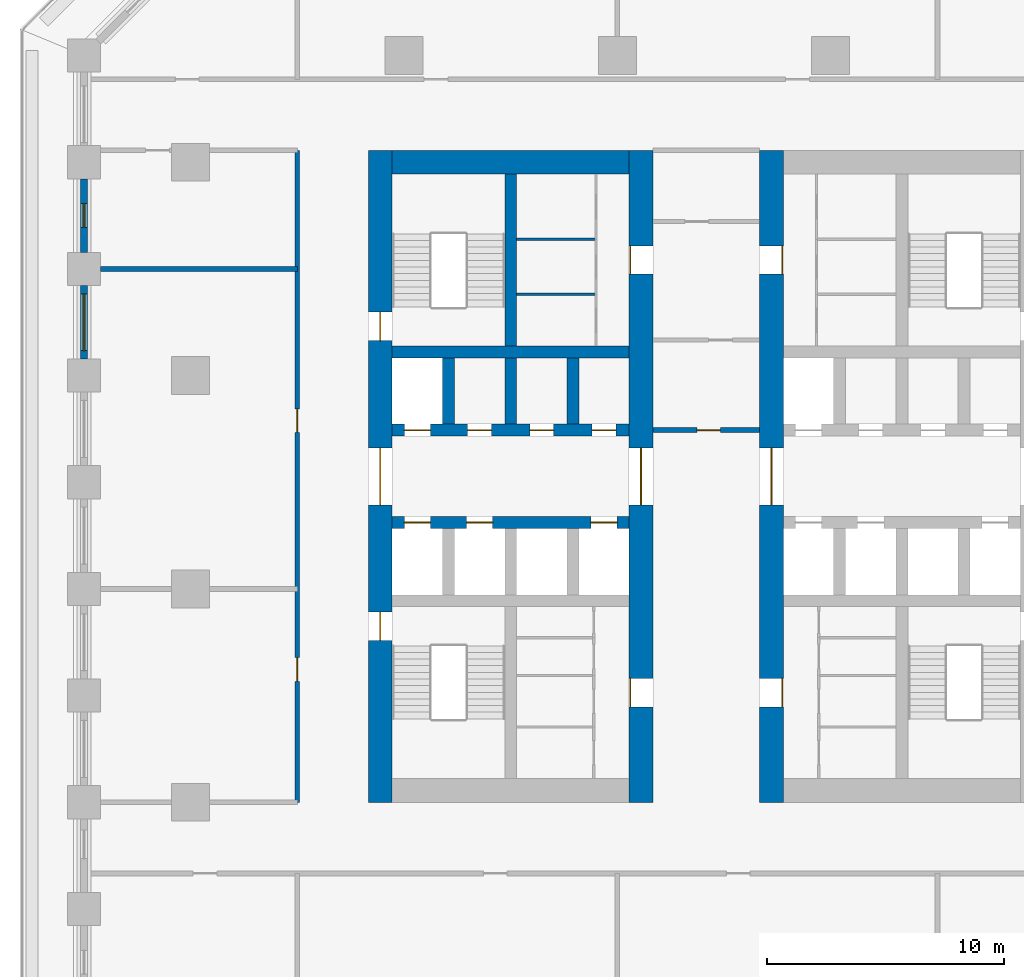
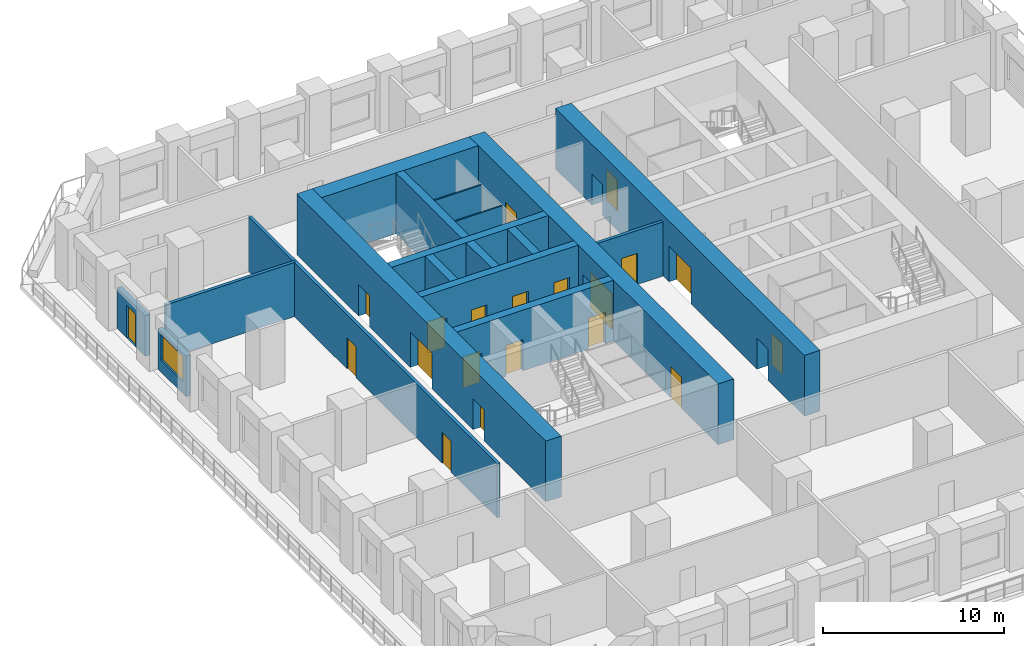
# One storey, part 5 of 11: 20 doors, 18 walls, 1 window, 21 openings.
"""IFC4 building model written with IfcOpenShell, lengths in metres."""

from ifc_helpers import new_model, si_unit, direction, frame, frame_2d, origin, place, context, subcontext, project, spatial, rectangle, extrude, material, layer, layer_set, type_object, element, fill, save


model = new_model("IFC4")

# Units and contexts
model_context = context("Model", 3, precision=1e-05, world=origin(), true_north=direction((0.0, 1.0)))
body_context = subcontext(model_context, "Body", "Model", "MODEL_VIEW")
ifc_project = project(units=[si_unit("LENGTHUNIT", "METRE"), si_unit("AREAUNIT", "SQUARE_METRE"), si_unit("VOLUMEUNIT", "CUBIC_METRE"), si_unit("PLANEANGLEUNIT", "RADIAN"), si_unit("MASSUNIT", "GRAM", prefix="KILO")], contexts=[model_context])

# Site, building, storey
site_placement = place(None, origin())
site = spatial("IfcSite", under=ifc_project, at=site_placement, CompositionType="ELEMENT")
building_placement = place(site_placement, origin())
building = spatial("IfcBuilding", under=site, at=building_placement, Name="Corbel Stack Research Tower", CompositionType="ELEMENT")
storey_placement = place(building_placement, frame((0.0, 0.0, 46.0)))
storey = spatial("IfcBuildingStorey", under=building, at=storey_placement, Name="L10", CompositionType="ELEMENT", Elevation=46.0)

# Wall, openings, doors
ifc_material_1 = material(Name="Concrete C70/85", Category="concrete")
ifc_layer_1 = layer(ifc_material_1, 1.0)
ifc_layer_set_1 = layer_set([ifc_layer_1], Name="Concrete C70/85")
wall_type_1 = type_object("IfcWallType", Name="CW-1000-70", PredefinedType="SHEAR", material=ifc_layer_set_1)
wall_1_placement = place(storey_placement, frame((-10.0, -9.0, 0.0), z_axis=(0.0, 0.0, 1.0), x_axis=(0.0, 1.0, 0.0)))
wall_1 = element("IfcWall", 1, at=wall_1_placement, inside=storey, type_object=wall_type_1, Name="West core wall, west face L10", PredefinedType="SHEAR", context=body_context, shape_type="SweptSolid", body=[
    extrude(rectangle(XDim=27.5, YDim=1.0, at=frame_2d((13.75, 0.0))), origin(), (0.0, 0.0, 1.0), 4.10009765625),
])
opening_1_placement = place(wall_1_placement, frame((12.550048828125, 0.0, 0.0)))
opening_1 = element("IfcOpeningElement", 2, at=opening_1_placement, cuts=wall_1, Name="Opening CD-W-W", PredefinedType="OPENING", context=body_context, shape_type="SweptSolid", body=[
    extrude(rectangle(XDim=2.39990234375, YDim=2.39990234375, at=frame_2d((1.199951171875, 1.199951171875))), frame((0.0, 0.510009765625, 0.0), z_axis=(0.0, -1.0, 0.0), x_axis=(1.0, 0.0, 0.0)), (0.0, 0.0, 1.0), 1.02001953125),
])
opening_2_placement = place(wall_1_placement, frame((6.824951171875, 0.0, 0.0)))
opening_2 = element("IfcOpeningElement", 3, at=opening_2_placement, cuts=wall_1, Name="Opening SD-ST-W1", PredefinedType="OPENING", context=body_context, shape_type="SweptSolid", body=[
    extrude(rectangle(XDim=1.199951171875, YDim=2.10009765625, at=frame_2d((0.60009765625, 1.050048828125))), frame((0.0, 0.510009765625, 0.0), z_axis=(0.0, -1.0, 0.0), x_axis=(1.0, 0.0, 0.0)), (0.0, 0.0, 1.0), 1.02001953125),
])
opening_3_placement = place(wall_1_placement, frame((19.47509765625, 0.0, 0.0)))
opening_3 = element("IfcOpeningElement", 4, at=opening_3_placement, cuts=wall_1, Name="Opening SD-ST-W2", PredefinedType="OPENING", context=body_context, shape_type="SweptSolid", body=[
    extrude(rectangle(XDim=1.199951171875, YDim=2.10009765625, at=frame_2d((0.60009765625, 1.050048828125))), frame((0.0, 0.510009765625, 0.0), z_axis=(0.0, -1.0, 0.0), x_axis=(1.0, 0.0, 0.0)), (0.0, 0.0, 1.0), 1.02001953125),
])
ifc_material_2 = material(Name="Painted steel fire door", Category="steel")
door_type_1 = type_object("IfcDoorType", Name="Lobby door pair 2400 x 2400 FD30S", OperationType="DOUBLE_DOOR_DOUBLE_SWING", PredefinedType="DOOR", material=ifc_material_2)
door_1_placement = place(opening_1_placement, origin())
door_1 = element("IfcDoor", 5, at=door_1_placement, inside=storey, type_object=door_type_1, Name="Lift lobby door W core W", OperationType="DOUBLE_DOOR_DOUBLE_SWING", OverallHeight=2.39990234375, OverallWidth=2.39990234375, PredefinedType="DOOR", context=body_context, shape_type="SweptSolid", body=[
    extrude(rectangle(XDim=2.39990234375, YDim=2.39990234375, at=frame_2d((1.199951171875, 1.199951171875))), frame((0.0, 0.02490234375, 0.0), z_axis=(0.0, -1.0, 0.0), x_axis=(1.0, 0.0, 0.0)), (0.0, 0.0, 1.0), 0.050048828125),
])
fill(opening_1, door_1)
ifc_material_3 = material(Name="Painted steel fire door", Category="steel")
door_type_2 = type_object("IfcDoorType", Name="Stair door 1200 x 2100 FD90 left hand", OperationType="SINGLE_SWING_LEFT", PredefinedType="DOOR", material=ifc_material_3)
door_2_placement = place(opening_2_placement, origin())
door_2 = element("IfcDoor", 6, at=door_2_placement, inside=storey, type_object=door_type_2, Name="Stair door ST-W1", OperationType="SINGLE_SWING_LEFT", OverallHeight=2.10009765625, OverallWidth=1.199951171875, PredefinedType="DOOR", context=body_context, shape_type="SweptSolid", body=[
    extrude(rectangle(XDim=1.199951171875, YDim=2.10009765625, at=frame_2d((0.60009765625, 1.050048828125))), frame((0.0, 0.02490234375, 0.0), z_axis=(0.0, -1.0, 0.0), x_axis=(1.0, 0.0, 0.0)), (0.0, 0.0, 1.0), 0.050048828125),
])
fill(opening_2, door_2)
door_3_placement = place(opening_3_placement, origin())
door_3 = element("IfcDoor", 7, at=door_3_placement, inside=storey, type_object=door_type_2, Name="Stair door ST-W2", OperationType="SINGLE_SWING_LEFT", OverallHeight=2.10009765625, OverallWidth=1.199951171875, PredefinedType="DOOR", context=body_context, shape_type="SweptSolid", body=[
    extrude(rectangle(XDim=1.199951171875, YDim=2.10009765625, at=frame_2d((0.60009765625, 1.050048828125))), frame((0.0, 0.02490234375, 0.0), z_axis=(0.0, -1.0, 0.0), x_axis=(1.0, 0.0, 0.0)), (0.0, 0.0, 1.0), 0.050048828125),
])
fill(opening_3, door_3)

wall_2_placement = place(storey_placement, frame((1.0, -9.0, 0.0), z_axis=(0.0, 0.0, 1.0), x_axis=(0.0, 1.0, 0.0)))
wall_2 = element("IfcWall", 8, at=wall_2_placement, inside=storey, type_object=wall_type_1, Name="West core wall, east face L10", PredefinedType="SHEAR", context=body_context, shape_type="SweptSolid", body=[
    extrude(rectangle(XDim=27.5, YDim=1.0, at=frame_2d((13.75, 0.0))), origin(), (0.0, 0.0, 1.0), 4.10009765625),
])
opening_4_placement = place(wall_2_placement, frame((12.550048828125, 0.0, 0.0)))
opening_4 = element("IfcOpeningElement", 9, at=opening_4_placement, cuts=wall_2, Name="Opening CD-W-E", PredefinedType="OPENING", context=body_context, shape_type="SweptSolid", body=[
    extrude(rectangle(XDim=2.39990234375, YDim=2.39990234375, at=frame_2d((1.199951171875, 1.199951171875))), frame((0.0, 0.510009765625, 0.0), z_axis=(0.0, -1.0, 0.0), x_axis=(1.0, 0.0, 0.0)), (0.0, 0.0, 1.0), 1.02001953125),
])
opening_5_placement = place(wall_2_placement, frame((4.02490234375, 0.0, 0.0)))
opening_5 = element("IfcOpeningElement", 10, at=opening_5_placement, cuts=wall_2, Name="Opening CR-W42-W1-1200", PredefinedType="OPENING", context=body_context, shape_type="SweptSolid", body=[
    extrude(rectangle(XDim=1.199951171875, YDim=2.10009765625, at=frame_2d((0.60009765625, 1.050048828125))), frame((0.0, 0.510009765625, 0.0), z_axis=(0.0, -1.0, 0.0), x_axis=(1.0, 0.0, 0.0)), (0.0, 0.0, 1.0), 1.02001953125),
])
opening_6_placement = place(wall_2_placement, frame((22.27490234375, 0.0, 0.0)))
opening_6 = element("IfcOpeningElement", 11, at=opening_6_placement, cuts=wall_2, Name="Opening CR-W42-R1-1200", PredefinedType="OPENING", context=body_context, shape_type="SweptSolid", body=[
    extrude(rectangle(XDim=1.199951171875, YDim=2.10009765625, at=frame_2d((0.60009765625, 1.050048828125))), frame((0.0, 0.510009765625, 0.0), z_axis=(0.0, -1.0, 0.0), x_axis=(1.0, 0.0, 0.0)), (0.0, 0.0, 1.0), 1.02001953125),
])
door_4_placement = place(opening_4_placement, origin())
door_4 = element("IfcDoor", 12, at=door_4_placement, inside=storey, type_object=door_type_1, Name="Lift lobby door W core E", OperationType="DOUBLE_DOOR_DOUBLE_SWING", OverallHeight=2.39990234375, OverallWidth=2.39990234375, PredefinedType="DOOR", context=body_context, shape_type="SweptSolid", body=[
    extrude(rectangle(XDim=2.39990234375, YDim=2.39990234375, at=frame_2d((1.199951171875, 1.199951171875))), frame((0.0, 0.02490234375, 0.0), z_axis=(0.0, -1.0, 0.0), x_axis=(1.0, 0.0, 0.0)), (0.0, 0.0, 1.0), 0.050048828125),
])
fill(opening_4, door_4)
ifc_material_4 = material(Name="Painted steel door", Category="steel")
door_type_3 = type_object("IfcDoorType", Name="Service door 1200 x 2100 FD30 left hand", OperationType="SINGLE_SWING_LEFT", PredefinedType="DOOR", material=ifc_material_4)
door_5_placement = place(opening_6_placement, origin())
door_5 = element("IfcDoor", 13, at=door_5_placement, inside=storey, type_object=door_type_3, Name="Service passage door W core", OperationType="SINGLE_SWING_LEFT", OverallHeight=2.10009765625, OverallWidth=1.199951171875, PredefinedType="DOOR", context=body_context, shape_type="SweptSolid", body=[
    extrude(rectangle(XDim=1.199951171875, YDim=2.10009765625, at=frame_2d((0.60009765625, 1.050048828125))), frame((0.0, 0.47509765625, 0.0), z_axis=(0.0, -1.0, 0.0), x_axis=(1.0, 0.0, 0.0)), (0.0, 0.0, 1.0), 0.050048828125),
])
fill(opening_6, door_5)
ifc_material_5 = material(Name="Painted timber door", Category="wood")
door_type_4 = type_object("IfcDoorType", Name="WC door 1200 x 2100 left hand", OperationType="SINGLE_SWING_LEFT", PredefinedType="DOOR", material=ifc_material_5)
door_6_placement = place(opening_5_placement, origin())
door_6 = element("IfcDoor", 14, at=door_6_placement, inside=storey, type_object=door_type_4, Name="WC lobby door W core", OperationType="SINGLE_SWING_LEFT", OverallHeight=2.10009765625, OverallWidth=1.199951171875, PredefinedType="DOOR", context=body_context, shape_type="SweptSolid", body=[
    extrude(rectangle(XDim=1.199951171875, YDim=2.10009765625, at=frame_2d((0.60009765625, 1.050048828125))), frame((0.0, 0.47509765625, 0.0), z_axis=(0.0, -1.0, 0.0), x_axis=(1.0, 0.0, 0.0)), (0.0, 0.0, 1.0), 0.050048828125),
])
fill(opening_5, door_6)

# Wall
wall_3_placement = place(storey_placement, frame((-9.5, 18.0, 0.0), z_axis=(0.0, 0.0, 1.0), x_axis=(1.0, 0.0, 0.0)))
element("IfcWall", 15, at=wall_3_placement, inside=storey, type_object=wall_type_1, Name="West core wall, north end L10", PredefinedType="SHEAR", context=body_context, shape_type="SweptSolid", body=[
    extrude(rectangle(XDim=10.0, YDim=1.0, at=frame_2d((5.0, 0.0))), origin(), (0.0, 0.0, 1.0), 4.10009765625),
])

# Wall, openings, doors
wall_4_placement = place(storey_placement, frame((6.5, -9.0, 0.0), z_axis=(0.0, 0.0, 1.0), x_axis=(0.0, 1.0, 0.0)))
wall_4 = element("IfcWall", 16, at=wall_4_placement, inside=storey, type_object=wall_type_1, Name="East core wall, west face L10", PredefinedType="SHEAR", context=body_context, shape_type="SweptSolid", body=[
    extrude(rectangle(XDim=27.5, YDim=1.0, at=frame_2d((13.75, 0.0))), origin(), (0.0, 0.0, 1.0), 4.10009765625),
])
opening_7_placement = place(wall_4_placement, frame((12.550048828125, 0.0, 0.0)))
opening_7 = element("IfcOpeningElement", 17, at=opening_7_placement, cuts=wall_4, Name="Opening CD-E-W", PredefinedType="OPENING", context=body_context, shape_type="SweptSolid", body=[
    extrude(rectangle(XDim=2.39990234375, YDim=2.39990234375, at=frame_2d((1.199951171875, 1.199951171875))), frame((0.0, 0.510009765625, 0.0), z_axis=(0.0, -1.0, 0.0), x_axis=(1.0, 0.0, 0.0)), (0.0, 0.0, 1.0), 1.02001953125),
])
opening_8_placement = place(wall_4_placement, frame((4.02490234375, 0.0, 0.0)))
opening_8 = element("IfcOpeningElement", 18, at=opening_8_placement, cuts=wall_4, Name="Opening CR-E42-W1-1200", PredefinedType="OPENING", context=body_context, shape_type="SweptSolid", body=[
    extrude(rectangle(XDim=1.199951171875, YDim=2.10009765625, at=frame_2d((0.60009765625, 1.050048828125))), frame((0.0, 0.510009765625, 0.0), z_axis=(0.0, -1.0, 0.0), x_axis=(1.0, 0.0, 0.0)), (0.0, 0.0, 1.0), 1.02001953125),
])
opening_9_placement = place(wall_4_placement, frame((22.27490234375, 0.0, 0.0)))
opening_9 = element("IfcOpeningElement", 19, at=opening_9_placement, cuts=wall_4, Name="Opening CR-E42-R1-1200", PredefinedType="OPENING", context=body_context, shape_type="SweptSolid", body=[
    extrude(rectangle(XDim=1.199951171875, YDim=2.10009765625, at=frame_2d((0.60009765625, 1.050048828125))), frame((0.0, 0.510009765625, 0.0), z_axis=(0.0, -1.0, 0.0), x_axis=(1.0, 0.0, 0.0)), (0.0, 0.0, 1.0), 1.02001953125),
])
door_7_placement = place(opening_7_placement, origin())
door_7 = element("IfcDoor", 20, at=door_7_placement, inside=storey, type_object=door_type_1, Name="Lift lobby door E core W", OperationType="DOUBLE_DOOR_DOUBLE_SWING", OverallHeight=2.39990234375, OverallWidth=2.39990234375, PredefinedType="DOOR", context=body_context, shape_type="SweptSolid", body=[
    extrude(rectangle(XDim=2.39990234375, YDim=2.39990234375, at=frame_2d((1.199951171875, 1.199951171875))), frame((0.0, 0.02490234375, 0.0), z_axis=(0.0, -1.0, 0.0), x_axis=(1.0, 0.0, 0.0)), (0.0, 0.0, 1.0), 0.050048828125),
])
fill(opening_7, door_7)
ifc_material_6 = material(Name="Painted steel door", Category="steel")
door_type_5 = type_object("IfcDoorType", Name="Service door 1200 x 2100 FD30 right hand", OperationType="SINGLE_SWING_RIGHT", PredefinedType="DOOR", material=ifc_material_6)
door_8_placement = place(opening_9_placement, origin())
door_8 = element("IfcDoor", 21, at=door_8_placement, inside=storey, type_object=door_type_5, Name="Service passage door E core", OperationType="SINGLE_SWING_RIGHT", OverallHeight=2.10009765625, OverallWidth=1.199951171875, PredefinedType="DOOR", context=body_context, shape_type="SweptSolid", body=[
    extrude(rectangle(XDim=1.199951171875, YDim=2.10009765625, at=frame_2d((0.60009765625, 1.050048828125))), frame((0.0, -0.4248046875, 0.0), z_axis=(0.0, -1.0, 0.0), x_axis=(1.0, 0.0, 0.0)), (0.0, 0.0, 1.0), 0.050048828125),
])
fill(opening_9, door_8)
ifc_material_7 = material(Name="Painted timber door", Category="wood")
door_type_6 = type_object("IfcDoorType", Name="WC door 1200 x 2100 right hand", OperationType="SINGLE_SWING_RIGHT", PredefinedType="DOOR", material=ifc_material_7)
door_9_placement = place(opening_8_placement, origin())
door_9 = element("IfcDoor", 22, at=door_9_placement, inside=storey, type_object=door_type_6, Name="WC lobby door E core", OperationType="SINGLE_SWING_RIGHT", OverallHeight=2.10009765625, OverallWidth=1.199951171875, PredefinedType="DOOR", context=body_context, shape_type="SweptSolid", body=[
    extrude(rectangle(XDim=1.199951171875, YDim=2.10009765625, at=frame_2d((0.60009765625, 1.050048828125))), frame((0.0, -0.4248046875, 0.0), z_axis=(0.0, -1.0, 0.0), x_axis=(1.0, 0.0, 0.0)), (0.0, 0.0, 1.0), 0.050048828125),
])
fill(opening_8, door_9)

ifc_material_8 = material(Name="Concrete C70/85", Category="concrete")
ifc_layer_2 = layer(ifc_material_8, 0.5)
ifc_layer_set_2 = layer_set([ifc_layer_2], Name="Concrete C70/85")
wall_type_2 = type_object("IfcWallType", Name="CW-500-70", PredefinedType="SHEAR", material=ifc_layer_set_2)
wall_5_placement = place(storey_placement, frame((-9.5, 2.800048828125, 0.0), z_axis=(0.0, 0.0, 1.0), x_axis=(1.0, 0.0, 0.0)))
wall_5 = element("IfcWall", 23, at=wall_5_placement, inside=storey, type_object=wall_type_2, Name="West core wall, lobby south L10", PredefinedType="SHEAR", context=body_context, shape_type="SweptSolid", body=[
    extrude(rectangle(XDim=10.0, YDim=0.5, at=frame_2d((5.0, 0.0))), origin(), (0.0, 0.0, 1.0), 4.10009765625),
])
opening_10_placement = place(wall_5_placement, frame((0.512451171875, 0.0, 0.0)))
opening_10 = element("IfcOpeningElement", 24, at=opening_10_placement, cuts=wall_5, Name="Opening LD-FS1", PredefinedType="OPENING", context=body_context, shape_type="SweptSolid", body=[
    extrude(rectangle(XDim=1.10009765625, YDim=2.10009765625, at=frame_2d((0.550048828125, 1.050048828125))), frame((0.0, 0.260009765625, 0.0), z_axis=(0.0, -1.0, 0.0), x_axis=(1.0, 0.0, 0.0)), (0.0, 0.0, 1.0), 0.52001953125),
])
opening_11_placement = place(wall_5_placement, frame((3.137451171875, 0.0, 0.0)))
opening_11 = element("IfcOpeningElement", 25, at=opening_11_placement, cuts=wall_5, Name="Opening LD-GL1", PredefinedType="OPENING", context=body_context, shape_type="SweptSolid", body=[
    extrude(rectangle(XDim=1.10009765625, YDim=2.10009765625, at=frame_2d((0.550048828125, 1.050048828125))), frame((0.0, 0.260009765625, 0.0), z_axis=(0.0, -1.0, 0.0), x_axis=(1.0, 0.0, 0.0)), (0.0, 0.0, 1.0), 0.52001953125),
])
opening_12_placement = place(wall_5_placement, frame((8.387451171875, 0.0, 0.0)))
opening_12 = element("IfcOpeningElement", 26, at=opening_12_placement, cuts=wall_5, Name="Opening LD-LR1", PredefinedType="OPENING", context=body_context, shape_type="SweptSolid", body=[
    extrude(rectangle(XDim=1.10009765625, YDim=2.10009765625, at=frame_2d((0.550048828125, 1.050048828125))), frame((0.0, 0.260009765625, 0.0), z_axis=(0.0, -1.0, 0.0), x_axis=(1.0, 0.0, 0.0)), (0.0, 0.0, 1.0), 0.52001953125),
])
ifc_material_9 = material(Name="Stainless steel landing door", Category="steel")
door_type_7 = type_object("IfcDoorType", Name="Lift landing door 1100 x 2100", OperationType="DOUBLE_DOOR_SLIDING", PredefinedType="DOOR", material=ifc_material_9)
door_10_placement = place(opening_10_placement, origin())
door_10 = element("IfcDoor", 27, at=door_10_placement, inside=storey, type_object=door_type_7, Name="Landing door FS1", OperationType="DOUBLE_DOOR_SLIDING", OverallHeight=2.10009765625, OverallWidth=1.10009765625, PredefinedType="DOOR", context=body_context, shape_type="SweptSolid", body=[
    extrude(rectangle(XDim=1.10009765625, YDim=2.10009765625, at=frame_2d((0.550048828125, 1.050048828125))), frame((0.0, 0.02490234375, 0.0), z_axis=(0.0, -1.0, 0.0), x_axis=(1.0, 0.0, 0.0)), (0.0, 0.0, 1.0), 0.050048828125),
])
fill(opening_10, door_10)
door_11_placement = place(opening_11_placement, origin())
door_11 = element("IfcDoor", 28, at=door_11_placement, inside=storey, type_object=door_type_7, Name="Landing door GL1", OperationType="DOUBLE_DOOR_SLIDING", OverallHeight=2.10009765625, OverallWidth=1.10009765625, PredefinedType="DOOR", context=body_context, shape_type="SweptSolid", body=[
    extrude(rectangle(XDim=1.10009765625, YDim=2.10009765625, at=frame_2d((0.550048828125, 1.050048828125))), frame((0.0, 0.02490234375, 0.0), z_axis=(0.0, -1.0, 0.0), x_axis=(1.0, 0.0, 0.0)), (0.0, 0.0, 1.0), 0.050048828125),
])
fill(opening_11, door_11)
door_12_placement = place(opening_12_placement, origin())
door_12 = element("IfcDoor", 29, at=door_12_placement, inside=storey, type_object=door_type_7, Name="Landing door LR1", OperationType="DOUBLE_DOOR_SLIDING", OverallHeight=2.10009765625, OverallWidth=1.10009765625, PredefinedType="DOOR", context=body_context, shape_type="SweptSolid", body=[
    extrude(rectangle(XDim=1.10009765625, YDim=2.10009765625, at=frame_2d((0.550048828125, 1.050048828125))), frame((0.0, 0.02490234375, 0.0), z_axis=(0.0, -1.0, 0.0), x_axis=(1.0, 0.0, 0.0)), (0.0, 0.0, 1.0), 0.050048828125),
])
fill(opening_12, door_12)

wall_6_placement = place(storey_placement, frame((-9.5, 6.699951171875, 0.0), z_axis=(0.0, 0.0, 1.0), x_axis=(1.0, 0.0, 0.0)))
wall_6 = element("IfcWall", 30, at=wall_6_placement, inside=storey, type_object=wall_type_2, Name="West core wall, lobby north L10", PredefinedType="SHEAR", context=body_context, shape_type="SweptSolid", body=[
    extrude(rectangle(XDim=10.0, YDim=0.5, at=frame_2d((5.0, 0.0))), origin(), (0.0, 0.0, 1.0), 4.10009765625),
])
opening_13_placement = place(wall_6_placement, frame((0.512451171875, 0.0, 0.0)))
opening_13 = element("IfcOpeningElement", 31, at=opening_13_placement, cuts=wall_6, Name="Opening LD-LR2", PredefinedType="OPENING", context=body_context, shape_type="SweptSolid", body=[
    extrude(rectangle(XDim=1.10009765625, YDim=2.10009765625, at=frame_2d((0.550048828125, 1.050048828125))), frame((0.0, 0.260009765625, 0.0), z_axis=(0.0, -1.0, 0.0), x_axis=(1.0, 0.0, 0.0)), (0.0, 0.0, 1.0), 0.52001953125),
])
opening_14_placement = place(wall_6_placement, frame((3.1875, 0.0, 0.0)))
opening_14 = element("IfcOpeningElement", 32, at=opening_14_placement, cuts=wall_6, Name="Opening CR-W42-N2", PredefinedType="OPENING", context=body_context, shape_type="SweptSolid", body=[
    extrude(rectangle(XDim=1.0, YDim=2.10009765625, at=frame_2d((0.5, 1.050048828125))), frame((0.0, 0.260009765625, 0.0), z_axis=(0.0, -1.0, 0.0), x_axis=(1.0, 0.0, 0.0)), (0.0, 0.0, 1.0), 0.52001953125),
])
opening_15_placement = place(wall_6_placement, frame((5.8125, 0.0, 0.0)))
opening_15 = element("IfcOpeningElement", 33, at=opening_15_placement, cuts=wall_6, Name="Opening CR-W42-N3", PredefinedType="OPENING", context=body_context, shape_type="SweptSolid", body=[
    extrude(rectangle(XDim=1.0, YDim=2.10009765625, at=frame_2d((0.5, 1.050048828125))), frame((0.0, 0.260009765625, 0.0), z_axis=(0.0, -1.0, 0.0), x_axis=(1.0, 0.0, 0.0)), (0.0, 0.0, 1.0), 0.52001953125),
])
opening_16_placement = place(wall_6_placement, frame((8.4375, 0.0, 0.0)))
opening_16 = element("IfcOpeningElement", 34, at=opening_16_placement, cuts=wall_6, Name="Opening CR-W42-N4", PredefinedType="OPENING", context=body_context, shape_type="SweptSolid", body=[
    extrude(rectangle(XDim=1.0, YDim=2.10009765625, at=frame_2d((0.5, 1.050048828125))), frame((0.0, 0.260009765625, 0.0), z_axis=(0.0, -1.0, 0.0), x_axis=(1.0, 0.0, 0.0)), (0.0, 0.0, 1.0), 0.52001953125),
])
door_13_placement = place(opening_13_placement, origin())
door_13 = element("IfcDoor", 35, at=door_13_placement, inside=storey, type_object=door_type_7, Name="Landing door LR2", OperationType="DOUBLE_DOOR_SLIDING", OverallHeight=2.10009765625, OverallWidth=1.10009765625, PredefinedType="DOOR", context=body_context, shape_type="SweptSolid", body=[
    extrude(rectangle(XDim=1.10009765625, YDim=2.10009765625, at=frame_2d((0.550048828125, 1.050048828125))), frame((0.0, 0.02490234375, 0.0), z_axis=(0.0, -1.0, 0.0), x_axis=(1.0, 0.0, 0.0)), (0.0, 0.0, 1.0), 0.050048828125),
])
fill(opening_13, door_13)
ifc_material_10 = material(Name="Painted steel door", Category="steel")
door_type_8 = type_object("IfcDoorType", Name="Service door 1000 x 2100 FD60 left hand", OperationType="SINGLE_SWING_LEFT", PredefinedType="DOOR", material=ifc_material_10)
door_14_placement = place(opening_15_placement, origin())
door_14 = element("IfcDoor", 36, at=door_14_placement, inside=storey, type_object=door_type_8, Name="Pantry door W core", OperationType="SINGLE_SWING_LEFT", OverallHeight=2.10009765625, OverallWidth=1.0, PredefinedType="DOOR", context=body_context, shape_type="SweptSolid", body=[
    extrude(rectangle(XDim=1.0, YDim=2.10009765625, at=frame_2d((0.5, 1.050048828125))), frame((0.0, 0.02490234375, 0.0), z_axis=(0.0, -1.0, 0.0), x_axis=(1.0, 0.0, 0.0)), (0.0, 0.0, 1.0), 0.050048828125),
])
fill(opening_15, door_14)
ifc_material_11 = material(Name="Painted steel door", Category="steel")
door_type_9 = type_object("IfcDoorType", Name="Service door 1000 x 2100 FD60 right hand", OperationType="SINGLE_SWING_RIGHT", PredefinedType="DOOR", material=ifc_material_11)
door_15_placement = place(opening_14_placement, origin())
door_15 = element("IfcDoor", 37, at=door_15_placement, inside=storey, type_object=door_type_9, Name="Electrical room door W core", OperationType="SINGLE_SWING_RIGHT", OverallHeight=2.10009765625, OverallWidth=1.0, PredefinedType="DOOR", context=body_context, shape_type="SweptSolid", body=[
    extrude(rectangle(XDim=1.0, YDim=2.10009765625, at=frame_2d((0.5, 1.050048828125))), frame((0.0, 0.02490234375, 0.0), z_axis=(0.0, -1.0, 0.0), x_axis=(1.0, 0.0, 0.0)), (0.0, 0.0, 1.0), 0.050048828125),
])
fill(opening_14, door_15)
door_16_placement = place(opening_16_placement, origin())
door_16 = element("IfcDoor", 38, at=door_16_placement, inside=storey, type_object=door_type_9, Name="Staff WC door W core", OperationType="SINGLE_SWING_RIGHT", OverallHeight=2.10009765625, OverallWidth=1.0, PredefinedType="DOOR", context=body_context, shape_type="SweptSolid", body=[
    extrude(rectangle(XDim=1.0, YDim=2.10009765625, at=frame_2d((0.5, 1.050048828125))), frame((0.0, 0.02490234375, 0.0), z_axis=(0.0, -1.0, 0.0), x_axis=(1.0, 0.0, 0.0)), (0.0, 0.0, 1.0), 0.050048828125),
])
fill(opening_16, door_16)

# Walls
wall_7_placement = place(storey_placement, frame((-9.5, 10.0, 0.0), z_axis=(0.0, 0.0, 1.0), x_axis=(1.0, 0.0, 0.0)))
element("IfcWall", 39, at=wall_7_placement, inside=storey, type_object=wall_type_2, Name="West core wall, north row back L10", PredefinedType="SHEAR", context=body_context, shape_type="SweptSolid", body=[
    extrude(rectangle(XDim=10.0, YDim=0.5, at=frame_2d((5.0, 0.0))), origin(), (0.0, 0.0, 1.0), 4.10009765625),
])
for number, where, z_axis, x_axis, name in (
    (40, (-7.125, 6.949951171875, 0.0), (0.0, 0.0, 1.0), (0.0, 1.0, 0.0), "West core wall, north shaft 1 L10"),
    (41, (-4.5, 6.949951171875, 0.0), (0.0, 0.0, 1.0), (0.0, 1.0, 0.0), "West core wall, north shaft 2 L10"),
    (42, (-1.875, 6.949951171875, 0.0), (0.0, 0.0, 1.0), (0.0, 1.0, 0.0), "West core wall, north shaft 3 L10"),
):
    element("IfcWall", number, at=place(storey_placement, frame(where, z_axis=z_axis, x_axis=x_axis)), inside=storey, type_object=wall_type_2, Name=name, PredefinedType="SHEAR", context=body_context, shape_type="SweptSolid", body=[
        extrude(rectangle(XDim=2.800048828125, YDim=0.5, at=frame_2d((1.39990234375, 0.0))), origin(), (0.0, 0.0, 1.0), 4.10009765625),
    ])
wall_8_placement = place(storey_placement, frame((-4.5, 10.25, 0.0), z_axis=(0.0, 0.0, 1.0), x_axis=(0.0, 1.0, 0.0)))
element("IfcWall", 43, at=wall_8_placement, inside=storey, type_object=wall_type_2, Name="West core wall, north stair and riser L10", PredefinedType="SHEAR", context=body_context, shape_type="SweptSolid", body=[
    extrude(rectangle(XDim=7.25, YDim=0.5, at=frame_2d((3.625, 0.0))), origin(), (0.0, 0.0, 1.0), 4.10009765625),
])
ifc_material_12 = material(Name="Gypsum board")
ifc_layer_3 = layer(ifc_material_12, 0.10009765625)
ifc_layer_set_3 = layer_set([ifc_layer_3], Name="Gypsum board")
wall_type_3 = type_object("IfcWallType", Name="Core partition 100", PredefinedType="PARTITIONING", material=ifc_layer_set_3)
for number, where, z_axis, x_axis, name in (
    (44, (-4.25, 12.425048828125, 0.0), (0.0, 0.0, 1.0), (1.0, 0.0, 0.0), "Core partition W"),
    (45, (-4.25, 14.7451171875, 0.0), (0.0, 0.0, 1.0), (1.0, 0.0, 0.0), "Core partition W"),
):
    element("IfcWall", number, at=place(storey_placement, frame(where, z_axis=z_axis, x_axis=x_axis)), inside=storey, type_object=wall_type_3, Name=name, PredefinedType="PARTITIONING", context=body_context, shape_type="SweptSolid", body=[
        extrude(rectangle(XDim=3.35009765625, YDim=0.10009765625, at=frame_2d((1.675048828125, 0.0))), origin(), (0.0, 0.0, 1.0), 3.64990234375),
    ])

# Wall, openings, doors
ifc_material_13 = material(Name="Fire-rated gypsum board partition on steel studs", Category="steel")
ifc_layer_4 = layer(ifc_material_13, 0.199951171875)
ifc_layer_set_4 = layer_set([ifc_layer_4], Name="Fire-rated gypsum board partition on steel studs")
wall_type_4 = type_object("IfcWallType", Name="Fire-rated partition 200 EI 60", PredefinedType="PARTITIONING", material=ifc_layer_set_4)
wall_9_placement = place(storey_placement, frame((-13.5, -9.0, 0.0), z_axis=(0.0, 0.0, 1.0), x_axis=(0.0, 1.0, 0.0)))
wall_9 = element("IfcWall", 46, at=wall_9_placement, inside=storey, type_object=wall_type_4, Name="Partition L10-002", PredefinedType="PARTITIONING", context=body_context, shape_type="SweptSolid", body=[
    extrude(rectangle(XDim=27.5, YDim=0.199951171875, at=frame_2d((13.75, 0.0))), origin(), (0.0, 0.0, 1.0), 3.64990234375),
])
opening_17_placement = place(wall_9_placement, frame((5.10009765625, 0.0, 0.0)))
opening_17 = element("IfcOpeningElement", 47, at=opening_17_placement, cuts=wall_9, Name="Opening B2V1-006", PredefinedType="OPENING", context=body_context, shape_type="SweptSolid", body=[
    extrude(rectangle(XDim=1.0, YDim=2.10009765625, at=frame_2d((0.5, 1.050048828125))), frame((0.0, 0.10986328125, 0.0), z_axis=(0.0, -1.0, 0.0), x_axis=(1.0, 0.0, 0.0)), (0.0, 0.0, 1.0), 0.219970703125),
])
opening_18_placement = place(wall_9_placement, frame((15.60009765625, 0.0, 0.0)))
opening_18 = element("IfcOpeningElement", 48, at=opening_18_placement, cuts=wall_9, Name="Opening B2V1-007", PredefinedType="OPENING", context=body_context, shape_type="SweptSolid", body=[
    extrude(rectangle(XDim=1.0, YDim=2.10009765625, at=frame_2d((0.5, 1.050048828125))), frame((0.0, 0.10986328125, 0.0), z_axis=(0.0, -1.0, 0.0), x_axis=(1.0, 0.0, 0.0)), (0.0, 0.0, 1.0), 0.219970703125),
])
ifc_material_14 = material(Name="Painted steel fire door", Category="steel")
door_type_10 = type_object("IfcDoorType", Name="Fire door FD30S 1000 x 2100", OperationType="NOTDEFINED", PredefinedType="DOOR", material=ifc_material_14)
door_17_placement = place(opening_17_placement, origin())
door_17 = element("IfcDoor", 49, at=door_17_placement, inside=storey, type_object=door_type_10, Name="Door B2V1-006", OperationType="SINGLE_SWING_LEFT", OverallHeight=2.10009765625, OverallWidth=1.0, PredefinedType="DOOR", context=body_context, shape_type="SweptSolid", body=[
    extrude(rectangle(XDim=1.0, YDim=2.10009765625, at=frame_2d((0.5, 1.050048828125))), frame((0.0, 0.02490234375, 0.0), z_axis=(0.0, -1.0, 0.0), x_axis=(1.0, 0.0, 0.0)), (0.0, 0.0, 1.0), 0.050048828125),
])
fill(opening_17, door_17)
door_18_placement = place(opening_18_placement, origin())
door_18 = element("IfcDoor", 50, at=door_18_placement, inside=storey, type_object=door_type_10, Name="Door B2V1-007", OperationType="SINGLE_SWING_RIGHT", OverallHeight=2.10009765625, OverallWidth=1.0, PredefinedType="DOOR", context=body_context, shape_type="SweptSolid", body=[
    extrude(rectangle(XDim=1.0, YDim=2.10009765625, at=frame_2d((0.5, 1.050048828125))), frame((0.0, 0.02490234375, 0.0), z_axis=(0.0, -1.0, 0.0), x_axis=(1.0, 0.0, 0.0)), (0.0, 0.0, 1.0), 0.050048828125),
])
fill(opening_18, door_18)

# Wall, opening, door
wall_10_placement = place(storey_placement, frame((1.5, 6.699951171875, 0.0), z_axis=(0.0, 0.0, 1.0), x_axis=(1.0, 0.0, 0.0)))
wall_10 = element("IfcWall", 51, at=wall_10_placement, inside=storey, type_object=wall_type_4, Name="Partition L10-025", PredefinedType="PARTITIONING", context=body_context, shape_type="SweptSolid", body=[
    extrude(rectangle(XDim=4.5, YDim=0.199951171875, at=frame_2d((2.25, 0.0))), origin(), (0.0, 0.0, 1.0), 3.64990234375),
])
opening_19_placement = place(wall_10_placement, frame((1.85009765625, 0.0, 0.0)))
opening_19 = element("IfcOpeningElement", 52, at=opening_19_placement, cuts=wall_10, Name="Opening B2V1-014", PredefinedType="OPENING", context=body_context, shape_type="SweptSolid", body=[
    extrude(rectangle(XDim=1.0, YDim=2.10009765625, at=frame_2d((0.5, 1.050048828125))), frame((0.0, 0.10986328125, 0.0), z_axis=(0.0, -1.0, 0.0), x_axis=(1.0, 0.0, 0.0)), (0.0, 0.0, 1.0), 0.219970703125),
])
door_19_placement = place(opening_19_placement, origin())
door_19 = element("IfcDoor", 53, at=door_19_placement, inside=storey, type_object=door_type_10, Name="Door B2V1-014", OperationType="SINGLE_SWING_RIGHT", OverallHeight=2.10009765625, OverallWidth=1.0, PredefinedType="DOOR", context=body_context, shape_type="SweptSolid", body=[
    extrude(rectangle(XDim=1.0, YDim=2.10009765625, at=frame_2d((0.5, 1.050048828125))), frame((0.0, 0.02490234375, 0.0), z_axis=(0.0, -1.0, 0.0), x_axis=(1.0, 0.0, 0.0)), (0.0, 0.0, 1.0), 0.050048828125),
])
fill(opening_19, door_19)

# Wall
wall_11_placement = place(storey_placement, frame((-21.800048828125, 13.5, 0.0), z_axis=(0.0, 0.0, 1.0), x_axis=(1.0, 0.0, 0.0)))
element("IfcWall", 54, at=wall_11_placement, inside=storey, type_object=wall_type_4, Name="Partition L10-027", PredefinedType="PARTITIONING", context=body_context, shape_type="SweptSolid", body=[
    extrude(rectangle(XDim=8.300048828125, YDim=0.199951171875, at=frame_2d((4.14990234375, 0.0))), origin(), (0.0, 0.0, 1.0), 3.64990234375),
])

# Wall, opening, door
ifc_material_15 = material(Name="Concrete C45/55", Category="concrete")
ifc_layer_5 = layer(ifc_material_15, 0.300048828125)
ifc_layer_set_5 = layer_set([ifc_layer_5], Name="Concrete C45/55")
wall_type_5 = type_object("IfcWallType", Name="Terracotta-faced concrete wall 300", PredefinedType="SOLIDWALL", material=ifc_layer_set_5)
wall_12_placement = place(storey_placement, frame((-22.5, 14.199951171875, 0.0), z_axis=(0.0, 0.0, 1.0), x_axis=(0.0, 1.0, 0.0)))
wall_12 = element("IfcWall", 55, at=wall_12_placement, inside=storey, type_object=wall_type_5, Name="Facade wall L10 W02", PredefinedType="SOLIDWALL", context=body_context, shape_type="SweptSolid", body=[
    extrude(rectangle(XDim=3.10009765625, YDim=0.300048828125, at=frame_2d((1.550048828125, 0.0))), origin(), (0.0, 0.0, 1.0), 2.75),
])
opening_20_placement = place(wall_12_placement, frame((1.050048828125, 0.0, 0.0)))
opening_20 = element("IfcOpeningElement", 56, at=opening_20_placement, cuts=wall_12, Name="Opening L10-B10", PredefinedType="OPENING", context=body_context, shape_type="SweptSolid", body=[
    extrude(rectangle(XDim=1.0, YDim=2.199951171875, at=frame_2d((0.5, 1.10009765625))), frame((0.0, 0.159912109375, 0.0), z_axis=(0.0, -1.0, 0.0), x_axis=(1.0, 0.0, 0.0)), (0.0, 0.0, 1.0), 0.320068359375),
])
ifc_material_16 = material(Name="Aluminium frame, clear double glazing", Category="aluminium")
door_type_11 = type_object("IfcDoorType", Name="Balcony door BD1 1000 x 2200", OperationType="NOTDEFINED", PredefinedType="DOOR", material=ifc_material_16)
door_20_placement = place(opening_20_placement, origin())
door_20 = element("IfcDoor", 57, at=door_20_placement, inside=storey, type_object=door_type_11, Name="Balcony door L10-B10", OperationType="SINGLE_SWING_RIGHT", OverallHeight=2.199951171875, OverallWidth=1.0, PredefinedType="DOOR", context=body_context, shape_type="SweptSolid", body=[
    extrude(rectangle(XDim=1.0, YDim=2.199951171875, at=frame_2d((0.5, 1.10009765625))), frame((0.0, 0.02490234375, 0.0), z_axis=(0.0, -1.0, 0.0), x_axis=(1.0, 0.0, 0.0)), (0.0, 0.0, 1.0), 0.050048828125),
])
fill(opening_20, door_20)

# Wall, opening, window
wall_13_placement = place(storey_placement, frame((-22.5, 9.699951171875, 0.0), z_axis=(0.0, 0.0, 1.0), x_axis=(0.0, 1.0, 0.0)))
wall_13 = element("IfcWall", 58, at=wall_13_placement, inside=storey, type_object=wall_type_5, Name="Facade wall L10 W03", PredefinedType="SOLIDWALL", context=body_context, shape_type="SweptSolid", body=[
    extrude(rectangle(XDim=3.10009765625, YDim=0.300048828125, at=frame_2d((1.550048828125, 0.0))), origin(), (0.0, 0.0, 1.0), 2.75),
])
opening_21_placement = place(wall_13_placement, frame((0.35009765625, 0.0, 0.800048828125)))
opening_21 = element("IfcOpeningElement", 59, at=opening_21_placement, cuts=wall_13, Name="Opening W1", PredefinedType="OPENING", context=body_context, shape_type="SweptSolid", body=[
    extrude(rectangle(XDim=2.39990234375, YDim=1.699951171875, at=frame_2d((1.199951171875, 0.85009765625))), frame((0.0, 0.159912109375, 0.0), z_axis=(0.0, -1.0, 0.0), x_axis=(1.0, 0.0, 0.0)), (0.0, 0.0, 1.0), 0.320068359375),
])
ifc_material_17 = material(Name="Aluminium frame, clear double glazing", Category="aluminium")
window_type = type_object("IfcWindowType", Name="Window W1 2400 x 1700", PartitioningType="SINGLE_PANEL", PredefinedType="WINDOW", material=ifc_material_17)
window_placement = place(opening_21_placement, origin())
window = element("IfcWindow", 60, at=window_placement, inside=storey, type_object=window_type, Name="Window W1 L10 W03", OverallHeight=1.699951171875, OverallWidth=2.39990234375, PartitioningType="SINGLE_PANEL", PredefinedType="WINDOW", context=body_context, shape_type="SweptSolid", body=[
    extrude(rectangle(XDim=2.39990234375, YDim=1.699951171875, at=frame_2d((1.199951171875, 0.85009765625))), frame((0.0, 0.030029296875, 0.0), z_axis=(0.0, -1.0, 0.0), x_axis=(1.0, 0.0, 0.0)), (0.0, 0.0, 1.0), 0.06005859375),
])
fill(opening_21, window)

save(model, "model.ifc")
